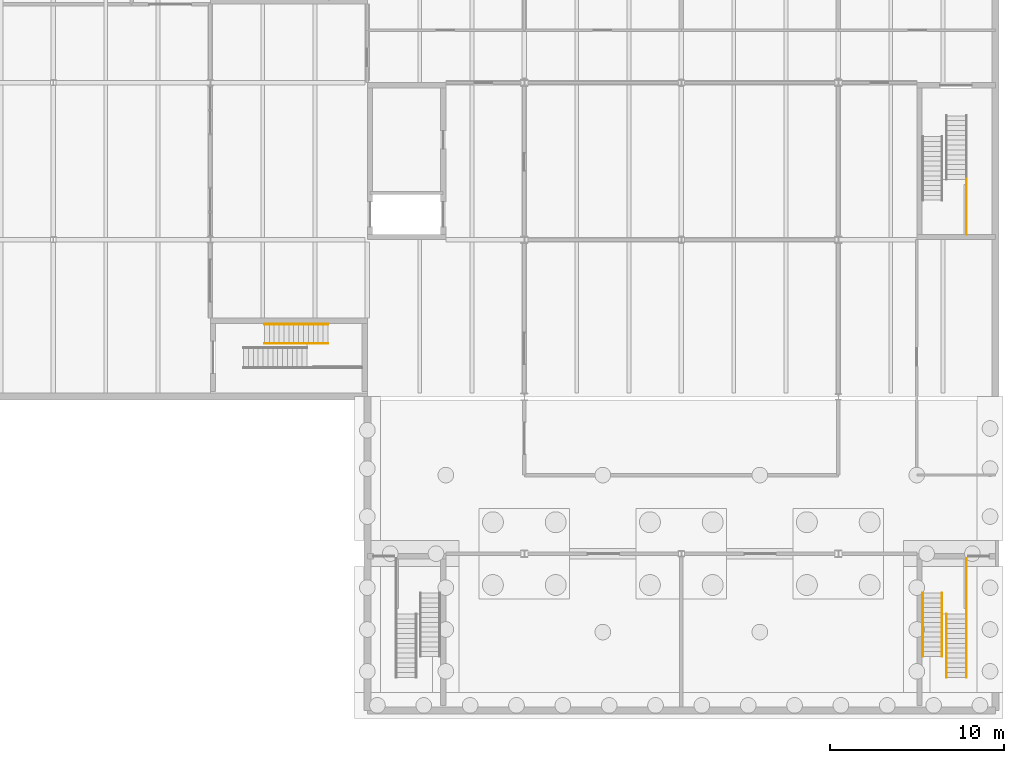
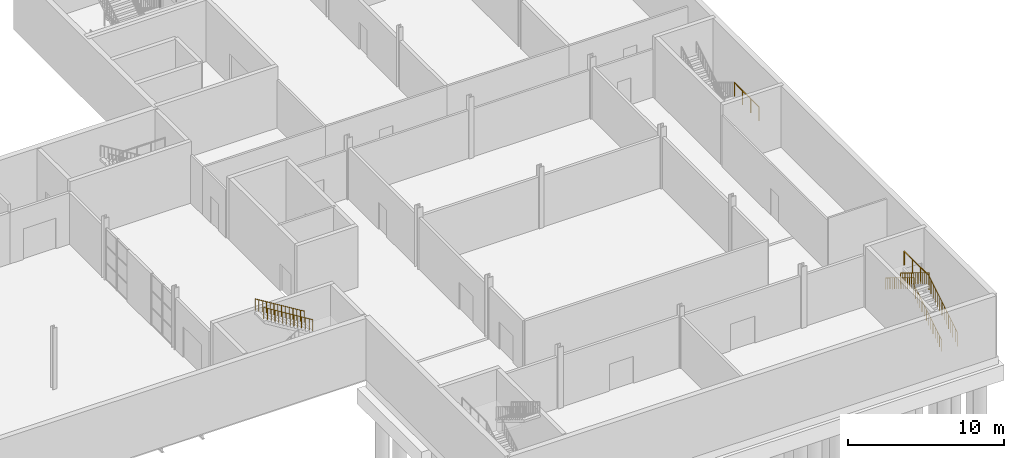
# One storey, part 28 of 31: 8 railings.
"""IFC4 building model written with IfcOpenShell, lengths in metres."""

from ifc_helpers import new_model, si_unit, direction, frame, origin, origin_2d, place, context, subcontext, project, spatial, circle, extrude, material, type_object, element, save


model = new_model("IFC4")

# Units and contexts
model_context = context("Model", 3, precision=1e-05, world=origin(), true_north=direction((0.0, 1.0)))
body_context = subcontext(model_context, "Body", "Model", "MODEL_VIEW")
ifc_project = project(units=[si_unit("LENGTHUNIT", "METRE"), si_unit("AREAUNIT", "SQUARE_METRE"), si_unit("VOLUMEUNIT", "CUBIC_METRE"), si_unit("PLANEANGLEUNIT", "RADIAN"), si_unit("MASSUNIT", "GRAM", prefix="KILO")], contexts=[model_context])

# Site, building, storey
site_placement = place(None, origin())
site = spatial("IfcSite", under=ifc_project, at=site_placement, CompositionType="ELEMENT")
building_placement = place(site_placement, origin())
building = spatial("IfcBuilding", under=site, at=building_placement, Name="Halyard Row Museum", CompositionType="ELEMENT")
storey_placement = place(building_placement, frame((0.0, 0.0, -4.800048828125)))
storey = spatial("IfcBuildingStorey", under=building, at=storey_placement, Name="B1", CompositionType="ELEMENT", Elevation=-4.800048828125)

# Railings
ifc_material_1 = material(Name="Steel Grade 300", Category="steel")
railing_type_1 = type_object("IfcRailingType", Name="Guard GR2 steel balustrade 1100", PredefinedType="GUARDRAIL", material=ifc_material_1)
railing_1_placement = place(storey_placement, frame((106.35009765625, 1.89990234375, 0.17138671875)))
element("IfcRailing", 1, at=railing_1_placement, inside=storey, type_object=railing_type_1, Name="Guard GR050", PredefinedType="GUARDRAIL", context=body_context, shape_type="SweptSolid", body=[
    extrude(circle(Radius=0.02392578125, at=origin_2d()), frame((0.0, 0.0, 1.076171875), z_axis=(0.0, 0.852601252411, 0.522562057929), x_axis=(-1.0, 0.0, 0.0)), (0.0, 0.0, 1.0), 0.328369140625),
    extrude(circle(Radius=0.02392578125, at=origin_2d()), frame((0.0, 0.280029296875, 1.24755859375), z_axis=(0.0, 0.852932391421, 0.522021393877), x_axis=(-1.0, 0.0, 0.0)), (0.0, 0.0, 1.0), 0.328369140625),
    extrude(circle(Radius=0.02392578125, at=origin_2d()), frame((0.0, 0.56005859375, 1.4189453125), z_axis=(0.0, 0.852932391421, 0.522021393877), x_axis=(-1.0, 0.0, 0.0)), (0.0, 0.0, 1.0), 0.328369140625),
    extrude(circle(Radius=0.02392578125, at=origin_2d()), frame((0.0, 0.840087890625, 1.59033203125), z_axis=(0.0, 0.852932391421, 0.522021393877), x_axis=(-1.0, 0.0, 0.0)), (0.0, 0.0, 1.0), 0.328369140625),
    extrude(circle(Radius=0.02392578125, at=origin_2d()), frame((0.0, 1.1201171875, 1.76171875), z_axis=(0.0, 0.852932391421, 0.522021393877), x_axis=(-1.0, 0.0, 0.0)), (0.0, 0.0, 1.0), 0.328369140625),
    extrude(circle(Radius=0.02392578125, at=origin_2d()), frame((0.0, 1.400146484375, 1.93310546875), z_axis=(0.0, 0.852932391421, 0.522021393877), x_axis=(-1.0, 0.0, 0.0)), (0.0, 0.0, 1.0), 0.328369140625),
    extrude(circle(Radius=0.02392578125, at=origin_2d()), frame((0.0, 1.68017578125, 2.1044921875), z_axis=(0.0, 0.852601252411, 0.522562057929), x_axis=(-1.0, 0.0, 0.0)), (0.0, 0.0, 1.0), 0.328369140625),
    extrude(circle(Radius=0.02392578125, at=origin_2d()), frame((0.0, 1.960205078125, 2.2763671875), z_axis=(0.0, 0.852729557261, 0.522352660731), x_axis=(-1.0, 0.0, 0.0)), (0.0, 0.0, 1.0), 0.328125),
    extrude(circle(Radius=0.02392578125, at=origin_2d()), frame((0.0, 2.239990234375, 2.44775390625), z_axis=(0.0, 0.852932391421, 0.522021393877), x_axis=(-1.0, 0.0, 0.0)), (0.0, 0.0, 1.0), 0.328369140625),
    extrude(circle(Radius=0.02392578125, at=origin_2d()), frame((0.0, 2.52001953125, 2.619140625), z_axis=(0.0, 0.852932391421, 0.522021393877), x_axis=(-1.0, 0.0, 0.0)), (0.0, 0.0, 1.0), 0.328369140625),
    extrude(circle(Radius=0.02392578125, at=origin_2d()), frame((0.0, 2.800048828125, 2.79052734375), z_axis=(0.0, 0.852932391421, 0.522021393877), x_axis=(-1.0, 0.0, 0.0)), (0.0, 0.0, 1.0), 0.328369140625),
    extrude(circle(Radius=0.02392578125, at=origin_2d()), frame((0.0, 3.080078125, 2.9619140625), z_axis=(0.0, 0.852932391421, 0.522021393877), x_axis=(-1.0, 0.0, 0.0)), (0.0, 0.0, 1.0), 0.328369140625),
    extrude(circle(Radius=0.02392578125, at=origin_2d()), frame((0.0, 3.360107421875, 3.13330078125), z_axis=(0.0, 0.852601252411, 0.522562057929), x_axis=(-1.0, 0.0, 0.0)), (0.0, 0.0, 1.0), 0.328369140625),
    extrude(circle(Radius=0.02099609375, at=origin_2d()), origin(), (0.0, 0.0, 1.0), 1.052001953125),
    extrude(circle(Radius=0.02099609375, at=origin_2d()), frame((0.0, 0.280029296875, 0.171630859375)), (0.0, 0.0, 1.0), 1.052001953125),
    extrude(circle(Radius=0.02099609375, at=origin_2d()), frame((0.0, 0.56005859375, 0.343017578125)), (0.0, 0.0, 1.0), 1.052001953125),
    extrude(circle(Radius=0.02099609375, at=origin_2d()), frame((0.0, 0.840087890625, 0.514404296875)), (0.0, 0.0, 1.0), 1.052001953125),
    extrude(circle(Radius=0.02099609375, at=origin_2d()), frame((0.0, 1.1201171875, 0.685791015625)), (0.0, 0.0, 1.0), 1.052001953125),
    extrude(circle(Radius=0.02099609375, at=origin_2d()), frame((0.0, 1.400146484375, 0.857177734375)), (0.0, 0.0, 1.0), 1.052001953125),
    extrude(circle(Radius=0.02099609375, at=origin_2d()), frame((0.0, 1.68017578125, 1.028564453125)), (0.0, 0.0, 1.0), 1.052001953125),
    extrude(circle(Radius=0.02099609375, at=origin_2d()), frame((0.0, 1.960205078125, 1.2001953125)), (0.0, 0.0, 1.0), 1.052001953125),
    extrude(circle(Radius=0.02099609375, at=origin_2d()), frame((0.0, 2.239990234375, 1.37158203125)), (0.0, 0.0, 1.0), 1.052001953125),
    extrude(circle(Radius=0.02099609375, at=origin_2d()), frame((0.0, 2.52001953125, 1.54296875)), (0.0, 0.0, 1.0), 1.052001953125),
    extrude(circle(Radius=0.02099609375, at=origin_2d()), frame((0.0, 2.800048828125, 1.71435546875)), (0.0, 0.0, 1.0), 1.052001953125),
    extrude(circle(Radius=0.02099609375, at=origin_2d()), frame((0.0, 3.080078125, 1.8857421875)), (0.0, 0.0, 1.0), 1.052001953125),
    extrude(circle(Radius=0.02099609375, at=origin_2d()), frame((0.0, 3.360107421875, 2.05712890625)), (0.0, 0.0, 1.0), 1.052001953125),
    extrude(circle(Radius=0.02099609375, at=origin_2d()), frame((0.0, 3.64013671875, 2.228759765625)), (0.0, 0.0, 1.0), 1.052001953125),
])
railing_2_placement = place(storey_placement, frame((106.35009765625, 5.5400390625, 2.400146484375)))
element("IfcRailing", 2, at=railing_2_placement, inside=storey, type_object=railing_type_1, Name="Guard GR051", PredefinedType="GUARDRAIL", context=body_context, shape_type="SweptSolid", body=[
    extrude(circle(Radius=0.02392578125, at=origin_2d()), frame((0.0, 0.0, 1.076171875), z_axis=(0.0, 1.0, 0.0), x_axis=(-1.0, 0.0, 0.0)), (0.0, 0.0, 1.0), 3.159912109375),
    extrude(circle(Radius=0.02099609375, at=origin_2d()), origin(), (0.0, 0.0, 1.0), 1.052001953125),
    extrude(circle(Radius=0.02099609375, at=origin_2d()), frame((0.0, 1.05322265625, 0.0)), (0.0, 0.0, 1.0), 1.052001953125),
    extrude(circle(Radius=0.02099609375, at=origin_2d()), frame((0.0, 2.106689453125, 0.0)), (0.0, 0.0, 1.0), 1.052001953125),
    extrude(circle(Radius=0.02099609375, at=origin_2d()), frame((0.0, 3.159912109375, 0.0)), (0.0, 0.0, 1.0), 1.052001953125),
])
railing_3_placement = place(storey_placement, frame((106.35009765625, 30.4599609375, 2.400146484375)))
element("IfcRailing", 3, at=railing_3_placement, inside=storey, type_object=railing_type_1, Name="Guard GR064", PredefinedType="GUARDRAIL", context=body_context, shape_type="SweptSolid", body=[
    extrude(circle(Radius=0.02392578125, at=origin_2d()), frame((0.0, 0.0, 1.076171875), z_axis=(0.0, -1.0, 0.0), x_axis=(1.0, 0.0, 0.0)), (0.0, 0.0, 1.0), 3.159912109375),
    extrude(circle(Radius=0.02099609375, at=origin_2d()), origin(), (0.0, 0.0, 1.0), 1.052001953125),
    extrude(circle(Radius=0.02099609375, at=origin_2d()), frame((0.0, -1.05322265625, 0.0)), (0.0, 0.0, 1.0), 1.052001953125),
    extrude(circle(Radius=0.02099609375, at=origin_2d()), frame((0.0, -2.106689453125, 0.0)), (0.0, 0.0, 1.0), 1.052001953125),
    extrude(circle(Radius=0.02099609375, at=origin_2d()), frame((0.0, -3.159912109375, 0.0)), (0.0, 0.0, 1.0), 1.052001953125),
])
ifc_material_2 = material(Name="Steel Grade 300", Category="steel")
railing_type_2 = type_object("IfcRailingType", Name="Handrail HR2 steel 900", PredefinedType="HANDRAIL", material=ifc_material_2)
railing_4_placement = place(storey_placement, frame((69.739990234375, 22.14990234375, 2.571533203125)))
element("IfcRailing", 4, at=railing_4_placement, inside=storey, type_object=railing_type_2, Name="Handrail HR029", PredefinedType="HANDRAIL", context=body_context, shape_type="SweptSolid", body=[
    extrude(circle(Radius=0.02392578125, at=origin_2d()), frame((0.0, 0.0, 0.8759765625), z_axis=(-0.852932391421, 0.0, 0.522021393877), x_axis=(0.0, -1.0, 0.0)), (0.0, 0.0, 1.0), 0.328369140625),
    extrude(circle(Radius=0.02392578125, at=origin_2d()), frame((-0.280029296875, 0.0, 1.04736328125), z_axis=(-0.852932391421, 0.0, 0.522021393877), x_axis=(0.0, -1.0, 0.0)), (0.0, 0.0, 1.0), 0.328369140625),
    extrude(circle(Radius=0.02392578125, at=origin_2d()), frame((-0.56005859375, 0.0, 1.21875), z_axis=(-0.852932391421, 0.0, 0.522021393877), x_axis=(0.0, -1.0, 0.0)), (0.0, 0.0, 1.0), 0.328369140625),
    extrude(circle(Radius=0.02392578125, at=origin_2d()), frame((-0.840087890625, 0.0, 1.39013671875), z_axis=(-0.852729557261, 0.0, 0.522352660731), x_axis=(0.0, -1.0, 0.0)), (0.0, 0.0, 1.0), 0.328125),
    extrude(circle(Radius=0.02392578125, at=origin_2d()), frame((-1.119873046875, 0.0, 1.5615234375), z_axis=(-0.852601252411, 0.0, 0.522562057929), x_axis=(0.0, -1.0, 0.0)), (0.0, 0.0, 1.0), 0.328369140625),
    extrude(circle(Radius=0.02392578125, at=origin_2d()), frame((-1.39990234375, 0.0, 1.73291015625), z_axis=(-0.852932391421, 0.0, 0.522021393877), x_axis=(0.0, -1.0, 0.0)), (0.0, 0.0, 1.0), 0.328369140625),
    extrude(circle(Radius=0.02392578125, at=origin_2d()), frame((-1.679931640625, 0.0, 1.904296875), z_axis=(-0.852932391421, 0.0, 0.522021393877), x_axis=(0.0, -1.0, 0.0)), (0.0, 0.0, 1.0), 0.328369140625),
    extrude(circle(Radius=0.02392578125, at=origin_2d()), frame((-1.9599609375, 0.0, 2.07568359375), z_axis=(-0.852932391421, 0.0, 0.522021393877), x_axis=(0.0, -1.0, 0.0)), (0.0, 0.0, 1.0), 0.328369140625),
    extrude(circle(Radius=0.02392578125, at=origin_2d()), frame((-2.239990234375, 0.0, 2.2470703125), z_axis=(-0.852932391421, 0.0, 0.522021393877), x_axis=(0.0, -1.0, 0.0)), (0.0, 0.0, 1.0), 0.328369140625),
    extrude(circle(Radius=0.02392578125, at=origin_2d()), frame((-2.52001953125, 0.0, 2.41845703125), z_axis=(-0.852932391421, 0.0, 0.522021393877), x_axis=(0.0, -1.0, 0.0)), (0.0, 0.0, 1.0), 0.328369140625),
    extrude(circle(Radius=0.02392578125, at=origin_2d()), frame((-2.800048828125, 0.0, 2.58984375), z_axis=(-0.852601252411, 0.0, 0.522562057929), x_axis=(0.0, -1.0, 0.0)), (0.0, 0.0, 1.0), 0.328369140625),
    extrude(circle(Radius=0.02392578125, at=origin_2d()), frame((-3.080078125, 0.0, 2.76171875), z_axis=(-0.852932391421, 0.0, 0.522021393877), x_axis=(0.0, -1.0, 0.0)), (0.0, 0.0, 1.0), 0.328369140625),
    extrude(circle(Radius=0.02392578125, at=origin_2d()), frame((-3.360107421875, 0.0, 2.93310546875), z_axis=(-0.852729557261, 0.0, 0.522352660731), x_axis=(0.0, -1.0, 0.0)), (0.0, 0.0, 1.0), 0.328125),
    extrude(circle(Radius=0.02099609375, at=origin_2d()), origin(), (0.0, 0.0, 1.0), 0.851806640625),
    extrude(circle(Radius=0.02099609375, at=origin_2d()), frame((-0.280029296875, 0.0, 0.17138671875)), (0.0, 0.0, 1.0), 0.851806640625),
    extrude(circle(Radius=0.02099609375, at=origin_2d()), frame((-0.56005859375, 0.0, 0.3427734375)), (0.0, 0.0, 1.0), 0.851806640625),
    extrude(circle(Radius=0.02099609375, at=origin_2d()), frame((-0.840087890625, 0.0, 0.51416015625)), (0.0, 0.0, 1.0), 0.851806640625),
    extrude(circle(Radius=0.02099609375, at=origin_2d()), frame((-1.119873046875, 0.0, 0.685546875)), (0.0, 0.0, 1.0), 0.851806640625),
    extrude(circle(Radius=0.02099609375, at=origin_2d()), frame((-1.39990234375, 0.0, 0.857177734375)), (0.0, 0.0, 1.0), 0.851806640625),
    extrude(circle(Radius=0.02099609375, at=origin_2d()), frame((-1.679931640625, 0.0, 1.028564453125)), (0.0, 0.0, 1.0), 0.851806640625),
    extrude(circle(Radius=0.02099609375, at=origin_2d()), frame((-1.9599609375, 0.0, 1.199951171875)), (0.0, 0.0, 1.0), 0.851806640625),
    extrude(circle(Radius=0.02099609375, at=origin_2d()), frame((-2.239990234375, 0.0, 1.371337890625)), (0.0, 0.0, 1.0), 0.851806640625),
    extrude(circle(Radius=0.02099609375, at=origin_2d()), frame((-2.52001953125, 0.0, 1.542724609375)), (0.0, 0.0, 1.0), 0.851806640625),
    extrude(circle(Radius=0.02099609375, at=origin_2d()), frame((-2.800048828125, 0.0, 1.714111328125)), (0.0, 0.0, 1.0), 0.851806640625),
    extrude(circle(Radius=0.02099609375, at=origin_2d()), frame((-3.080078125, 0.0, 1.8857421875)), (0.0, 0.0, 1.0), 0.851806640625),
    extrude(circle(Radius=0.02099609375, at=origin_2d()), frame((-3.360107421875, 0.0, 2.05712890625)), (0.0, 0.0, 1.0), 0.851806640625),
    extrude(circle(Radius=0.02099609375, at=origin_2d()), frame((-3.639892578125, 0.0, 2.228515625)), (0.0, 0.0, 1.0), 0.851806640625),
])
railing_5_placement = place(storey_placement, frame((69.739990234375, 21.050048828125, 2.571533203125)))
element("IfcRailing", 5, at=railing_5_placement, inside=storey, type_object=railing_type_2, Name="Handrail HR030", PredefinedType="HANDRAIL", context=body_context, shape_type="SweptSolid", body=[
    extrude(circle(Radius=0.02392578125, at=origin_2d()), frame((0.0, 0.0, 0.8759765625), z_axis=(-0.852932391421, 0.0, 0.522021393877), x_axis=(0.0, -1.0, 0.0)), (0.0, 0.0, 1.0), 0.328369140625),
    extrude(circle(Radius=0.02392578125, at=origin_2d()), frame((-0.280029296875, 0.0, 1.04736328125), z_axis=(-0.852932391421, 0.0, 0.522021393877), x_axis=(0.0, -1.0, 0.0)), (0.0, 0.0, 1.0), 0.328369140625),
    extrude(circle(Radius=0.02392578125, at=origin_2d()), frame((-0.56005859375, 0.0, 1.21875), z_axis=(-0.852932391421, 0.0, 0.522021393877), x_axis=(0.0, -1.0, 0.0)), (0.0, 0.0, 1.0), 0.328369140625),
    extrude(circle(Radius=0.02392578125, at=origin_2d()), frame((-0.840087890625, 0.0, 1.39013671875), z_axis=(-0.852729557261, 0.0, 0.522352660731), x_axis=(0.0, -1.0, 0.0)), (0.0, 0.0, 1.0), 0.328125),
    extrude(circle(Radius=0.02392578125, at=origin_2d()), frame((-1.119873046875, 0.0, 1.5615234375), z_axis=(-0.852601252411, 0.0, 0.522562057929), x_axis=(0.0, -1.0, 0.0)), (0.0, 0.0, 1.0), 0.328369140625),
    extrude(circle(Radius=0.02392578125, at=origin_2d()), frame((-1.39990234375, 0.0, 1.73291015625), z_axis=(-0.852932391421, 0.0, 0.522021393877), x_axis=(0.0, -1.0, 0.0)), (0.0, 0.0, 1.0), 0.328369140625),
    extrude(circle(Radius=0.02392578125, at=origin_2d()), frame((-1.679931640625, 0.0, 1.904296875), z_axis=(-0.852932391421, 0.0, 0.522021393877), x_axis=(0.0, -1.0, 0.0)), (0.0, 0.0, 1.0), 0.328369140625),
    extrude(circle(Radius=0.02392578125, at=origin_2d()), frame((-1.9599609375, 0.0, 2.07568359375), z_axis=(-0.852932391421, 0.0, 0.522021393877), x_axis=(0.0, -1.0, 0.0)), (0.0, 0.0, 1.0), 0.328369140625),
    extrude(circle(Radius=0.02392578125, at=origin_2d()), frame((-2.239990234375, 0.0, 2.2470703125), z_axis=(-0.852932391421, 0.0, 0.522021393877), x_axis=(0.0, -1.0, 0.0)), (0.0, 0.0, 1.0), 0.328369140625),
    extrude(circle(Radius=0.02392578125, at=origin_2d()), frame((-2.52001953125, 0.0, 2.41845703125), z_axis=(-0.852932391421, 0.0, 0.522021393877), x_axis=(0.0, -1.0, 0.0)), (0.0, 0.0, 1.0), 0.328369140625),
    extrude(circle(Radius=0.02392578125, at=origin_2d()), frame((-2.800048828125, 0.0, 2.58984375), z_axis=(-0.852601252411, 0.0, 0.522562057929), x_axis=(0.0, -1.0, 0.0)), (0.0, 0.0, 1.0), 0.328369140625),
    extrude(circle(Radius=0.02392578125, at=origin_2d()), frame((-3.080078125, 0.0, 2.76171875), z_axis=(-0.852932391421, 0.0, 0.522021393877), x_axis=(0.0, -1.0, 0.0)), (0.0, 0.0, 1.0), 0.328369140625),
    extrude(circle(Radius=0.02392578125, at=origin_2d()), frame((-3.360107421875, 0.0, 2.93310546875), z_axis=(-0.852729557261, 0.0, 0.522352660731), x_axis=(0.0, -1.0, 0.0)), (0.0, 0.0, 1.0), 0.328125),
    extrude(circle(Radius=0.02099609375, at=origin_2d()), origin(), (0.0, 0.0, 1.0), 0.851806640625),
    extrude(circle(Radius=0.02099609375, at=origin_2d()), frame((-0.280029296875, 0.0, 0.17138671875)), (0.0, 0.0, 1.0), 0.851806640625),
    extrude(circle(Radius=0.02099609375, at=origin_2d()), frame((-0.56005859375, 0.0, 0.3427734375)), (0.0, 0.0, 1.0), 0.851806640625),
    extrude(circle(Radius=0.02099609375, at=origin_2d()), frame((-0.840087890625, 0.0, 0.51416015625)), (0.0, 0.0, 1.0), 0.851806640625),
    extrude(circle(Radius=0.02099609375, at=origin_2d()), frame((-1.119873046875, 0.0, 0.685546875)), (0.0, 0.0, 1.0), 0.851806640625),
    extrude(circle(Radius=0.02099609375, at=origin_2d()), frame((-1.39990234375, 0.0, 0.857177734375)), (0.0, 0.0, 1.0), 0.851806640625),
    extrude(circle(Radius=0.02099609375, at=origin_2d()), frame((-1.679931640625, 0.0, 1.028564453125)), (0.0, 0.0, 1.0), 0.851806640625),
    extrude(circle(Radius=0.02099609375, at=origin_2d()), frame((-1.9599609375, 0.0, 1.199951171875)), (0.0, 0.0, 1.0), 0.851806640625),
    extrude(circle(Radius=0.02099609375, at=origin_2d()), frame((-2.239990234375, 0.0, 1.371337890625)), (0.0, 0.0, 1.0), 0.851806640625),
    extrude(circle(Radius=0.02099609375, at=origin_2d()), frame((-2.52001953125, 0.0, 1.542724609375)), (0.0, 0.0, 1.0), 0.851806640625),
    extrude(circle(Radius=0.02099609375, at=origin_2d()), frame((-2.800048828125, 0.0, 1.714111328125)), (0.0, 0.0, 1.0), 0.851806640625),
    extrude(circle(Radius=0.02099609375, at=origin_2d()), frame((-3.080078125, 0.0, 1.8857421875)), (0.0, 0.0, 1.0), 0.851806640625),
    extrude(circle(Radius=0.02099609375, at=origin_2d()), frame((-3.360107421875, 0.0, 2.05712890625)), (0.0, 0.0, 1.0), 0.851806640625),
    extrude(circle(Radius=0.02099609375, at=origin_2d()), frame((-3.639892578125, 0.0, 2.228515625)), (0.0, 0.0, 1.0), 0.851806640625),
])
railing_6_placement = place(storey_placement, frame((105.199951171875, 1.89990234375, 0.17138671875)))
element("IfcRailing", 6, at=railing_6_placement, inside=storey, type_object=railing_type_2, Name="Handrail HR073", PredefinedType="HANDRAIL", context=body_context, shape_type="SweptSolid", body=[
    extrude(circle(Radius=0.02392578125, at=origin_2d()), frame((0.0, 0.0, 0.8759765625), z_axis=(0.0, 0.852601252411, 0.522562057929), x_axis=(-1.0, 0.0, 0.0)), (0.0, 0.0, 1.0), 0.328369140625),
    extrude(circle(Radius=0.02392578125, at=origin_2d()), frame((0.0, 0.280029296875, 1.04736328125), z_axis=(0.0, 0.852932391421, 0.522021393877), x_axis=(-1.0, 0.0, 0.0)), (0.0, 0.0, 1.0), 0.328369140625),
    extrude(circle(Radius=0.02392578125, at=origin_2d()), frame((0.0, 0.56005859375, 1.21875), z_axis=(0.0, 0.852932391421, 0.522021393877), x_axis=(-1.0, 0.0, 0.0)), (0.0, 0.0, 1.0), 0.328369140625),
    extrude(circle(Radius=0.02392578125, at=origin_2d()), frame((0.0, 0.840087890625, 1.39013671875), z_axis=(0.0, 0.852932391421, 0.522021393877), x_axis=(-1.0, 0.0, 0.0)), (0.0, 0.0, 1.0), 0.328369140625),
    extrude(circle(Radius=0.02392578125, at=origin_2d()), frame((0.0, 1.1201171875, 1.5615234375), z_axis=(0.0, 0.852932391421, 0.522021393877), x_axis=(-1.0, 0.0, 0.0)), (0.0, 0.0, 1.0), 0.328369140625),
    extrude(circle(Radius=0.02392578125, at=origin_2d()), frame((0.0, 1.400146484375, 1.73291015625), z_axis=(0.0, 0.852932391421, 0.522021393877), x_axis=(-1.0, 0.0, 0.0)), (0.0, 0.0, 1.0), 0.328369140625),
    extrude(circle(Radius=0.02392578125, at=origin_2d()), frame((0.0, 1.68017578125, 1.904296875), z_axis=(0.0, 0.852601252411, 0.522562057929), x_axis=(-1.0, 0.0, 0.0)), (0.0, 0.0, 1.0), 0.328369140625),
    extrude(circle(Radius=0.02392578125, at=origin_2d()), frame((0.0, 1.960205078125, 2.076171875), z_axis=(0.0, 0.852729557261, 0.522352660731), x_axis=(-1.0, 0.0, 0.0)), (0.0, 0.0, 1.0), 0.328125),
    extrude(circle(Radius=0.02392578125, at=origin_2d()), frame((0.0, 2.239990234375, 2.24755859375), z_axis=(0.0, 0.852932391421, 0.522021393877), x_axis=(-1.0, 0.0, 0.0)), (0.0, 0.0, 1.0), 0.328369140625),
    extrude(circle(Radius=0.02392578125, at=origin_2d()), frame((0.0, 2.52001953125, 2.4189453125), z_axis=(0.0, 0.852932391421, 0.522021393877), x_axis=(-1.0, 0.0, 0.0)), (0.0, 0.0, 1.0), 0.328369140625),
    extrude(circle(Radius=0.02392578125, at=origin_2d()), frame((0.0, 2.800048828125, 2.59033203125), z_axis=(0.0, 0.852932391421, 0.522021393877), x_axis=(-1.0, 0.0, 0.0)), (0.0, 0.0, 1.0), 0.328369140625),
    extrude(circle(Radius=0.02392578125, at=origin_2d()), frame((0.0, 3.080078125, 2.76171875), z_axis=(0.0, 0.852932391421, 0.522021393877), x_axis=(-1.0, 0.0, 0.0)), (0.0, 0.0, 1.0), 0.328369140625),
    extrude(circle(Radius=0.02392578125, at=origin_2d()), frame((0.0, 3.360107421875, 2.93310546875), z_axis=(0.0, 0.852601252411, 0.522562057929), x_axis=(-1.0, 0.0, 0.0)), (0.0, 0.0, 1.0), 0.328369140625),
    extrude(circle(Radius=0.02099609375, at=origin_2d()), origin(), (0.0, 0.0, 1.0), 0.851806640625),
    extrude(circle(Radius=0.02099609375, at=origin_2d()), frame((0.0, 0.280029296875, 0.171630859375)), (0.0, 0.0, 1.0), 0.851806640625),
    extrude(circle(Radius=0.02099609375, at=origin_2d()), frame((0.0, 0.56005859375, 0.343017578125)), (0.0, 0.0, 1.0), 0.851806640625),
    extrude(circle(Radius=0.02099609375, at=origin_2d()), frame((0.0, 0.840087890625, 0.514404296875)), (0.0, 0.0, 1.0), 0.851806640625),
    extrude(circle(Radius=0.02099609375, at=origin_2d()), frame((0.0, 1.1201171875, 0.685791015625)), (0.0, 0.0, 1.0), 0.851806640625),
    extrude(circle(Radius=0.02099609375, at=origin_2d()), frame((0.0, 1.400146484375, 0.857177734375)), (0.0, 0.0, 1.0), 0.851806640625),
    extrude(circle(Radius=0.02099609375, at=origin_2d()), frame((0.0, 1.68017578125, 1.028564453125)), (0.0, 0.0, 1.0), 0.851806640625),
    extrude(circle(Radius=0.02099609375, at=origin_2d()), frame((0.0, 1.960205078125, 1.2001953125)), (0.0, 0.0, 1.0), 0.851806640625),
    extrude(circle(Radius=0.02099609375, at=origin_2d()), frame((0.0, 2.239990234375, 1.37158203125)), (0.0, 0.0, 1.0), 0.851806640625),
    extrude(circle(Radius=0.02099609375, at=origin_2d()), frame((0.0, 2.52001953125, 1.54296875)), (0.0, 0.0, 1.0), 0.851806640625),
    extrude(circle(Radius=0.02099609375, at=origin_2d()), frame((0.0, 2.800048828125, 1.71435546875)), (0.0, 0.0, 1.0), 0.851806640625),
    extrude(circle(Radius=0.02099609375, at=origin_2d()), frame((0.0, 3.080078125, 1.8857421875)), (0.0, 0.0, 1.0), 0.851806640625),
    extrude(circle(Radius=0.02099609375, at=origin_2d()), frame((0.0, 3.360107421875, 2.05712890625)), (0.0, 0.0, 1.0), 0.851806640625),
    extrude(circle(Radius=0.02099609375, at=origin_2d()), frame((0.0, 3.64013671875, 2.228759765625)), (0.0, 0.0, 1.0), 0.851806640625),
])
railing_7_placement = place(storey_placement, frame((103.85009765625, 6.739990234375, 2.571533203125)))
element("IfcRailing", 7, at=railing_7_placement, inside=storey, type_object=railing_type_2, Name="Handrail HR074", PredefinedType="HANDRAIL", context=body_context, shape_type="SweptSolid", body=[
    extrude(circle(Radius=0.02392578125, at=origin_2d()), frame((0.0, 0.0, 0.8759765625), z_axis=(0.0, -0.852932391421, 0.522021393877), x_axis=(1.0, 0.0, 0.0)), (0.0, 0.0, 1.0), 0.328369140625),
    extrude(circle(Radius=0.02392578125, at=origin_2d()), frame((0.0, -0.280029296875, 1.04736328125), z_axis=(0.0, -0.852932391421, 0.522021393877), x_axis=(1.0, 0.0, 0.0)), (0.0, 0.0, 1.0), 0.328369140625),
    extrude(circle(Radius=0.02392578125, at=origin_2d()), frame((0.0, -0.56005859375, 1.21875), z_axis=(0.0, -0.852932391421, 0.522021393877), x_axis=(1.0, 0.0, 0.0)), (0.0, 0.0, 1.0), 0.328369140625),
    extrude(circle(Radius=0.02392578125, at=origin_2d()), frame((0.0, -0.840087890625, 1.39013671875), z_axis=(0.0, -0.852729557261, 0.522352660731), x_axis=(1.0, 0.0, 0.0)), (0.0, 0.0, 1.0), 0.328125),
    extrude(circle(Radius=0.02392578125, at=origin_2d()), frame((0.0, -1.119873046875, 1.5615234375), z_axis=(0.0, -0.852601252411, 0.522562057929), x_axis=(1.0, 0.0, 0.0)), (0.0, 0.0, 1.0), 0.328369140625),
    extrude(circle(Radius=0.02392578125, at=origin_2d()), frame((0.0, -1.39990234375, 1.73291015625), z_axis=(0.0, -0.852932391421, 0.522021393877), x_axis=(1.0, 0.0, 0.0)), (0.0, 0.0, 1.0), 0.328369140625),
    extrude(circle(Radius=0.02392578125, at=origin_2d()), frame((0.0, -1.679931640625, 1.904296875), z_axis=(0.0, -0.852932391421, 0.522021393877), x_axis=(1.0, 0.0, 0.0)), (0.0, 0.0, 1.0), 0.328369140625),
    extrude(circle(Radius=0.02392578125, at=origin_2d()), frame((0.0, -1.9599609375, 2.07568359375), z_axis=(0.0, -0.852932391421, 0.522021393877), x_axis=(1.0, 0.0, 0.0)), (0.0, 0.0, 1.0), 0.328369140625),
    extrude(circle(Radius=0.02392578125, at=origin_2d()), frame((0.0, -2.239990234375, 2.2470703125), z_axis=(0.0, -0.852932391421, 0.522021393877), x_axis=(1.0, 0.0, 0.0)), (0.0, 0.0, 1.0), 0.328369140625),
    extrude(circle(Radius=0.02392578125, at=origin_2d()), frame((0.0, -2.52001953125, 2.41845703125), z_axis=(0.0, -0.852932391421, 0.522021393877), x_axis=(1.0, 0.0, 0.0)), (0.0, 0.0, 1.0), 0.328369140625),
    extrude(circle(Radius=0.02392578125, at=origin_2d()), frame((0.0, -2.800048828125, 2.58984375), z_axis=(0.0, -0.852601252411, 0.522562057929), x_axis=(1.0, 0.0, 0.0)), (0.0, 0.0, 1.0), 0.328369140625),
    extrude(circle(Radius=0.02392578125, at=origin_2d()), frame((0.0, -3.080078125, 2.76171875), z_axis=(0.0, -0.852932391421, 0.522021393877), x_axis=(1.0, 0.0, 0.0)), (0.0, 0.0, 1.0), 0.328369140625),
    extrude(circle(Radius=0.02392578125, at=origin_2d()), frame((0.0, -3.360107421875, 2.93310546875), z_axis=(0.0, -0.852729557261, 0.522352660731), x_axis=(1.0, 0.0, 0.0)), (0.0, 0.0, 1.0), 0.328125),
    extrude(circle(Radius=0.02099609375, at=origin_2d()), origin(), (0.0, 0.0, 1.0), 0.851806640625),
    extrude(circle(Radius=0.02099609375, at=origin_2d()), frame((0.0, -0.280029296875, 0.17138671875)), (0.0, 0.0, 1.0), 0.851806640625),
    extrude(circle(Radius=0.02099609375, at=origin_2d()), frame((0.0, -0.56005859375, 0.3427734375)), (0.0, 0.0, 1.0), 0.851806640625),
    extrude(circle(Radius=0.02099609375, at=origin_2d()), frame((0.0, -0.840087890625, 0.51416015625)), (0.0, 0.0, 1.0), 0.851806640625),
    extrude(circle(Radius=0.02099609375, at=origin_2d()), frame((0.0, -1.119873046875, 0.685546875)), (0.0, 0.0, 1.0), 0.851806640625),
    extrude(circle(Radius=0.02099609375, at=origin_2d()), frame((0.0, -1.39990234375, 0.857177734375)), (0.0, 0.0, 1.0), 0.851806640625),
    extrude(circle(Radius=0.02099609375, at=origin_2d()), frame((0.0, -1.679931640625, 1.028564453125)), (0.0, 0.0, 1.0), 0.851806640625),
    extrude(circle(Radius=0.02099609375, at=origin_2d()), frame((0.0, -1.9599609375, 1.199951171875)), (0.0, 0.0, 1.0), 0.851806640625),
    extrude(circle(Radius=0.02099609375, at=origin_2d()), frame((0.0, -2.239990234375, 1.371337890625)), (0.0, 0.0, 1.0), 0.851806640625),
    extrude(circle(Radius=0.02099609375, at=origin_2d()), frame((0.0, -2.52001953125, 1.542724609375)), (0.0, 0.0, 1.0), 0.851806640625),
    extrude(circle(Radius=0.02099609375, at=origin_2d()), frame((0.0, -2.800048828125, 1.714111328125)), (0.0, 0.0, 1.0), 0.851806640625),
    extrude(circle(Radius=0.02099609375, at=origin_2d()), frame((0.0, -3.080078125, 1.8857421875)), (0.0, 0.0, 1.0), 0.851806640625),
    extrude(circle(Radius=0.02099609375, at=origin_2d()), frame((0.0, -3.360107421875, 2.05712890625)), (0.0, 0.0, 1.0), 0.851806640625),
    extrude(circle(Radius=0.02099609375, at=origin_2d()), frame((0.0, -3.639892578125, 2.228515625)), (0.0, 0.0, 1.0), 0.851806640625),
])
railing_8_placement = place(storey_placement, frame((104.949951171875, 6.739990234375, 2.571533203125)))
element("IfcRailing", 8, at=railing_8_placement, inside=storey, type_object=railing_type_2, Name="Handrail HR075", PredefinedType="HANDRAIL", context=body_context, shape_type="SweptSolid", body=[
    extrude(circle(Radius=0.02392578125, at=origin_2d()), frame((0.0, 0.0, 0.8759765625), z_axis=(0.0, -0.852932391421, 0.522021393877), x_axis=(1.0, 0.0, 0.0)), (0.0, 0.0, 1.0), 0.328369140625),
    extrude(circle(Radius=0.02392578125, at=origin_2d()), frame((0.0, -0.280029296875, 1.04736328125), z_axis=(0.0, -0.852932391421, 0.522021393877), x_axis=(1.0, 0.0, 0.0)), (0.0, 0.0, 1.0), 0.328369140625),
    extrude(circle(Radius=0.02392578125, at=origin_2d()), frame((0.0, -0.56005859375, 1.21875), z_axis=(0.0, -0.852932391421, 0.522021393877), x_axis=(1.0, 0.0, 0.0)), (0.0, 0.0, 1.0), 0.328369140625),
    extrude(circle(Radius=0.02392578125, at=origin_2d()), frame((0.0, -0.840087890625, 1.39013671875), z_axis=(0.0, -0.852729557261, 0.522352660731), x_axis=(1.0, 0.0, 0.0)), (0.0, 0.0, 1.0), 0.328125),
    extrude(circle(Radius=0.02392578125, at=origin_2d()), frame((0.0, -1.119873046875, 1.5615234375), z_axis=(0.0, -0.852601252411, 0.522562057929), x_axis=(1.0, 0.0, 0.0)), (0.0, 0.0, 1.0), 0.328369140625),
    extrude(circle(Radius=0.02392578125, at=origin_2d()), frame((0.0, -1.39990234375, 1.73291015625), z_axis=(0.0, -0.852932391421, 0.522021393877), x_axis=(1.0, 0.0, 0.0)), (0.0, 0.0, 1.0), 0.328369140625),
    extrude(circle(Radius=0.02392578125, at=origin_2d()), frame((0.0, -1.679931640625, 1.904296875), z_axis=(0.0, -0.852932391421, 0.522021393877), x_axis=(1.0, 0.0, 0.0)), (0.0, 0.0, 1.0), 0.328369140625),
    extrude(circle(Radius=0.02392578125, at=origin_2d()), frame((0.0, -1.9599609375, 2.07568359375), z_axis=(0.0, -0.852932391421, 0.522021393877), x_axis=(1.0, 0.0, 0.0)), (0.0, 0.0, 1.0), 0.328369140625),
    extrude(circle(Radius=0.02392578125, at=origin_2d()), frame((0.0, -2.239990234375, 2.2470703125), z_axis=(0.0, -0.852932391421, 0.522021393877), x_axis=(1.0, 0.0, 0.0)), (0.0, 0.0, 1.0), 0.328369140625),
    extrude(circle(Radius=0.02392578125, at=origin_2d()), frame((0.0, -2.52001953125, 2.41845703125), z_axis=(0.0, -0.852932391421, 0.522021393877), x_axis=(1.0, 0.0, 0.0)), (0.0, 0.0, 1.0), 0.328369140625),
    extrude(circle(Radius=0.02392578125, at=origin_2d()), frame((0.0, -2.800048828125, 2.58984375), z_axis=(0.0, -0.852601252411, 0.522562057929), x_axis=(1.0, 0.0, 0.0)), (0.0, 0.0, 1.0), 0.328369140625),
    extrude(circle(Radius=0.02392578125, at=origin_2d()), frame((0.0, -3.080078125, 2.76171875), z_axis=(0.0, -0.852932391421, 0.522021393877), x_axis=(1.0, 0.0, 0.0)), (0.0, 0.0, 1.0), 0.328369140625),
    extrude(circle(Radius=0.02392578125, at=origin_2d()), frame((0.0, -3.360107421875, 2.93310546875), z_axis=(0.0, -0.852729557261, 0.522352660731), x_axis=(1.0, 0.0, 0.0)), (0.0, 0.0, 1.0), 0.328125),
    extrude(circle(Radius=0.02099609375, at=origin_2d()), origin(), (0.0, 0.0, 1.0), 0.851806640625),
    extrude(circle(Radius=0.02099609375, at=origin_2d()), frame((0.0, -0.280029296875, 0.17138671875)), (0.0, 0.0, 1.0), 0.851806640625),
    extrude(circle(Radius=0.02099609375, at=origin_2d()), frame((0.0, -0.56005859375, 0.3427734375)), (0.0, 0.0, 1.0), 0.851806640625),
    extrude(circle(Radius=0.02099609375, at=origin_2d()), frame((0.0, -0.840087890625, 0.51416015625)), (0.0, 0.0, 1.0), 0.851806640625),
    extrude(circle(Radius=0.02099609375, at=origin_2d()), frame((0.0, -1.119873046875, 0.685546875)), (0.0, 0.0, 1.0), 0.851806640625),
    extrude(circle(Radius=0.02099609375, at=origin_2d()), frame((0.0, -1.39990234375, 0.857177734375)), (0.0, 0.0, 1.0), 0.851806640625),
    extrude(circle(Radius=0.02099609375, at=origin_2d()), frame((0.0, -1.679931640625, 1.028564453125)), (0.0, 0.0, 1.0), 0.851806640625),
    extrude(circle(Radius=0.02099609375, at=origin_2d()), frame((0.0, -1.9599609375, 1.199951171875)), (0.0, 0.0, 1.0), 0.851806640625),
    extrude(circle(Radius=0.02099609375, at=origin_2d()), frame((0.0, -2.239990234375, 1.371337890625)), (0.0, 0.0, 1.0), 0.851806640625),
    extrude(circle(Radius=0.02099609375, at=origin_2d()), frame((0.0, -2.52001953125, 1.542724609375)), (0.0, 0.0, 1.0), 0.851806640625),
    extrude(circle(Radius=0.02099609375, at=origin_2d()), frame((0.0, -2.800048828125, 1.714111328125)), (0.0, 0.0, 1.0), 0.851806640625),
    extrude(circle(Radius=0.02099609375, at=origin_2d()), frame((0.0, -3.080078125, 1.8857421875)), (0.0, 0.0, 1.0), 0.851806640625),
    extrude(circle(Radius=0.02099609375, at=origin_2d()), frame((0.0, -3.360107421875, 2.05712890625)), (0.0, 0.0, 1.0), 0.851806640625),
    extrude(circle(Radius=0.02099609375, at=origin_2d()), frame((0.0, -3.639892578125, 2.228515625)), (0.0, 0.0, 1.0), 0.851806640625),
])

save(model, "model.ifc")
